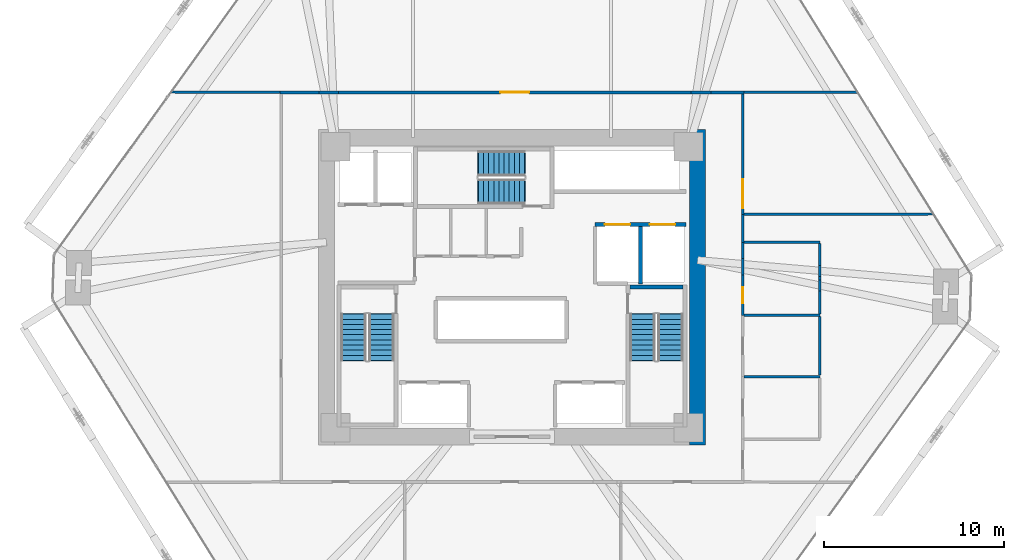
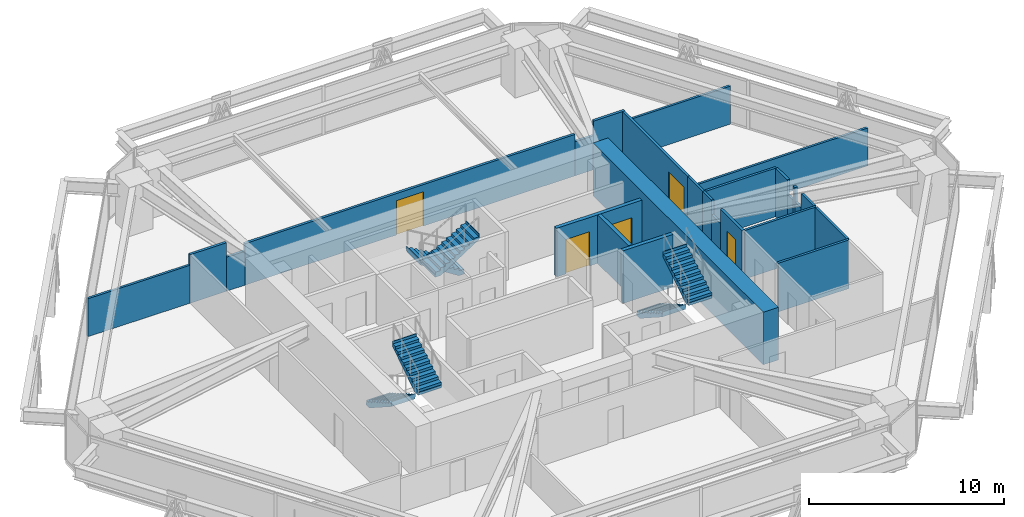
# One storey, part 15 of 16: 26 walls, 6 stair flights, 5 doors, 5 openings, 3 elements without a shape of their own.
"""IFC4 building model written with IfcOpenShell, lengths in metres."""

from ifc_helpers import new_model, si_unit, direction, frame, frame_2d, origin, place, context, subcontext, project, spatial, polyline, rectangle, outline, extrude, source, transform, mapped, material, layer, layer_set, type_object, type_shapes, element, fill, aggregate, save


model = new_model("IFC4")

# Units and contexts
model_context = context("Model", 3, precision=1e-05, world=origin(), true_north=direction((0.0, 1.0)))
body_context = subcontext(model_context, "Body", "Model", "MODEL_VIEW")
ifc_project = project(units=[si_unit("LENGTHUNIT", "METRE"), si_unit("AREAUNIT", "SQUARE_METRE"), si_unit("VOLUMEUNIT", "CUBIC_METRE"), si_unit("PLANEANGLEUNIT", "RADIAN"), si_unit("MASSUNIT", "GRAM", prefix="KILO")], contexts=[model_context])

# Site, building, storey
site_placement = place(None, origin())
site = spatial("IfcSite", under=ifc_project, at=site_placement, CompositionType="ELEMENT")
building_placement = place(site_placement, origin())
building = spatial("IfcBuilding", under=site, at=building_placement, Name="Durnholm Broadcast Tower", CompositionType="ELEMENT")
storey_placement = place(building_placement, frame((0.0, 0.0, 65.39990234375)))
storey = spatial("IfcBuildingStorey", under=building, at=storey_placement, Name="L16", CompositionType="ELEMENT", Elevation=65.39990234375)

# Walls
ifc_material_1 = material(Name="Concrete C70/85", Category="concrete")
ifc_layer_1 = layer(ifc_material_1, 0.89990234375)
ifc_layer_set_1 = layer_set([ifc_layer_1], Name="Concrete C70/85")
wall_type_1 = type_object("IfcWallType", Name="WALL-CW-900", PredefinedType="SHEAR", material=ifc_layer_set_1)
wall_1_placement = place(storey_placement, frame((10.300048828125, -8.75, 0.0), z_axis=(0.0, 0.0, 1.0), x_axis=(0.0, 1.0, 0.0)))
element("IfcWall", 1, at=wall_1_placement, inside=storey, type_object=wall_type_1, Name="L16 central core shear wall CW-EAST", PredefinedType="SHEAR", context=body_context, shape_type="SweptSolid", body=[
    extrude(rectangle(XDim=17.5, YDim=0.89990234375, at=frame_2d((8.75, 0.0))), origin(), (0.0, 0.0, 1.0), 3.300048828125),
])
ifc_material_2 = material(Name="Gypsum Metal Stud Partition", Category="concrete")
ifc_layer_2 = layer(ifc_material_2, 0.135009765625)
ifc_layer_set_2 = layer_set([ifc_layer_2], Name="Gypsum Metal Stud Partition")
wall_type_2 = type_object("IfcWallType", Name="WALL-PART-135", PredefinedType="PARTITIONING", material=ifc_layer_set_2)
wall_2_placement = place(storey_placement, frame((-12.889892578125, 10.810302734375, 0.0), z_axis=(0.0, 0.0, 1.0), x_axis=(-0.999992607823, 0.003845035728, 0.0)))
element("IfcWall", 2, at=wall_2_placement, inside=storey, type_object=wall_type_2, Name="L16 room dividing partition 7.11", PredefinedType="PARTITIONING", context=body_context, shape_type="SweptSolid", body=[
    extrude(rectangle(XDim=6.031982421875, YDim=0.135009765625, at=frame_2d((3.01611328125, 0.0))), origin(), (0.0, 0.0, 1.0), 2.380126953125),
])
wall_3_placement = place(storey_placement, frame((19.18212890625, 10.831298828125, 0.0), z_axis=(0.0, 0.0, 1.0), x_axis=(-0.999994432845, -0.003336806783, 0.0)))
element("IfcWall", 3, at=wall_3_placement, inside=storey, type_object=wall_type_2, Name="L16 room dividing partition 7.13", PredefinedType="PARTITIONING", context=body_context, shape_type="SweptSolid", body=[
    extrude(rectangle(XDim=6.292236328125, YDim=0.135009765625, at=frame_2d((3.14599609375, 0.0))), origin(), (0.0, 0.0, 1.0), 2.380126953125),
])
wall_4_placement = place(storey_placement, frame((12.888916015625, 4.040283203125, 0.0), z_axis=(0.0, 0.0, 1.0), x_axis=(0.999998004093, 0.001997951593, 0.0)))
element("IfcWall", 4, at=wall_4_placement, inside=storey, type_object=wall_type_2, Name="L16 room dividing partition 12.13", PredefinedType="PARTITIONING", context=body_context, shape_type="SweptSolid", body=[
    extrude(rectangle(XDim=10.5087890625, YDim=0.135009765625, at=frame_2d((5.25439453125, 0.0))), origin(), (0.0, 0.0, 1.0), 2.380126953125),
])
ifc_material_3 = material(Name="Acoustic Gypsum Stud Partition", Category="concrete")
ifc_layer_3 = layer(ifc_material_3, 0.14990234375)
ifc_layer_set_3 = layer_set([ifc_layer_3], Name="Acoustic Gypsum Stud Partition")
wall_type_3 = type_object("IfcWallType", Name="WALL-PART-150", PredefinedType="PARTITIONING", material=ifc_layer_set_3)
wall_5_placement = place(storey_placement, frame((12.889892578125, 10.81005859375, 0.0), z_axis=(0.0, 0.0, 1.0), x_axis=(-1.0, 0.0, 0.0)))
element("IfcWall", 5, at=wall_5_placement, inside=storey, type_object=wall_type_3, Name="L16 International News Auditorium corridor partition", PredefinedType="PARTITIONING", context=body_context, shape_type="SweptSolid", body=[
    extrude(rectangle(XDim=1.847412109375, YDim=0.14990234375, at=frame_2d((0.923828125, 0.0))), origin(), (0.0, 0.0, 1.0), 3.045166015625),
])

# Wall, opening, door
wall_6_placement = place(storey_placement, frame((9.93310546875, 10.81005859375, 0.0), z_axis=(0.0, 0.0, 1.0), x_axis=(-1.0, 0.0, 0.0)))
wall_6 = element("IfcWall", 6, at=wall_6_placement, inside=storey, type_object=wall_type_3, Name="L16 International News Auditorium corridor partition", PredefinedType="PARTITIONING", context=body_context, shape_type="SweptSolid", body=[
    extrude(rectangle(XDim=19.560546875, YDim=0.14990234375, at=frame_2d((9.7802734375, 0.0))), origin(), (0.0, 0.0, 1.0), 2.59765625),
])
opening_1_placement = place(wall_6_placement, frame((8.980224609375, 0.0, 0.0)))
opening_1 = element("IfcOpeningElement", 7, at=opening_1_placement, cuts=wall_6, Name="Opening DST-160", PredefinedType="OPENING", context=body_context, shape_type="SweptSolid", body=[
    extrude(rectangle(XDim=1.60009765625, YDim=2.14990234375, at=frame_2d((0.800048828125, 1.074951171875))), frame((0.0, 0.0849609375, 0.0), z_axis=(0.0, -1.0, 0.0), x_axis=(1.0, 0.0, 0.0)), (0.0, 0.0, 1.0), 0.169921875),
])
ifc_material_4 = material(Name="Acoustic Broadcast Studio Sound-Lock Door", Category="steel")
ifc_layer_4 = layer(ifc_material_4, 0.050048828125)
ifc_layer_set_4 = layer_set([ifc_layer_4], Name="Acoustic Broadcast Studio Sound-Lock Door")
door_type_1 = type_object("IfcDoorType", Name="DOOR-STU-1600", OperationType="DOUBLE_DOOR_SINGLE_SWING", PredefinedType="DOOR", material=ifc_layer_set_4)
shared_shape_1 = source(origin(), body_context, "Body", "SweptSolid", [
    extrude(rectangle(XDim=1.60009765625, YDim=2.14990234375, at=frame_2d((0.800048828125, 1.074951171875))), frame((0.0, 0.02490234375, 0.0), z_axis=(0.0, -1.0, 0.0), x_axis=(1.0, 0.0, 0.0)), (0.0, 0.0, 1.0), 0.050048828125),
])
type_shapes(door_type_1, [shared_shape_1])
door_1_placement = place(opening_1_placement, origin())
door_1 = element("IfcDoor", 8, at=door_1_placement, inside=storey, type_object=door_type_1, Name="L16 International News Auditorium entrance door", OperationType="DOUBLE_DOOR_SINGLE_SWING", OverallHeight=2.14990234375, OverallWidth=1.60009765625, PredefinedType="DOOR", context=body_context, shape_type="MappedRepresentation", body=[
    mapped(shared_shape_1, transform((0.0, 0.0, 0.0), x_axis=(1.0, 0.0, 0.0), y_axis=(0.0, 1.0, 0.0), z_axis=(0.0, 0.0, 1.0), scale=1.0)),
])
fill(opening_1, door_1)

# Walls
wall_7_placement = place(storey_placement, frame((-10.719970703125, 10.81005859375, 0.0), z_axis=(0.0, 0.0, 1.0), x_axis=(-1.0, 0.0, 0.0)))
element("IfcWall", 9, at=wall_7_placement, inside=storey, type_object=wall_type_3, Name="L16 International News Auditorium corridor partition", PredefinedType="PARTITIONING", context=body_context, shape_type="SweptSolid", body=[
    extrude(rectangle(XDim=2.169921875, YDim=0.14990234375, at=frame_2d((1.0849609375, 0.0))), origin(), (0.0, 0.0, 1.0), 3.045166015625),
])
wall_8_placement = place(storey_placement, frame((11.04248046875, 10.81005859375, 0.0), z_axis=(0.0, 0.0, 1.0), x_axis=(-1.0, 0.0, 0.0)))
element("IfcWall", 10, at=wall_8_placement, inside=storey, type_object=wall_type_3, Name="L16 International News Auditorium corridor partition", PredefinedType="PARTITIONING", context=body_context, shape_type="SweptSolid", body=[
    extrude(rectangle(XDim=1.109375, YDim=0.14990234375, at=frame_2d((0.5546875, 0.0))), origin(), (0.0, 0.0, 1.0), 2.130126953125),
])
wall_9_placement = place(storey_placement, frame((-9.62744140625, 10.81005859375, 0.0), z_axis=(0.0, 0.0, 1.0), x_axis=(-1.0, 0.0, 0.0)))
element("IfcWall", 11, at=wall_9_placement, inside=storey, type_object=wall_type_3, Name="L16 International News Auditorium corridor partition", PredefinedType="PARTITIONING", context=body_context, shape_type="SweptSolid", body=[
    extrude(rectangle(XDim=1.092529296875, YDim=0.14990234375, at=frame_2d((0.54638671875, 0.0))), origin(), (0.0, 0.0, 1.0), 2.130126953125),
])
wall_10_placement = place(storey_placement, frame((12.81005859375, 2.489990234375, 0.0), z_axis=(0.0, 0.0, 1.0), x_axis=(0.0, 1.0, 0.0)))
element("IfcWall", 12, at=wall_10_placement, inside=storey, type_object=wall_type_3, Name="L16 Open Plan Broadcast Workspace 1 corridor partition", PredefinedType="PARTITIONING", context=body_context, shape_type="SweptSolid", body=[
    extrude(rectangle(XDim=1.550048828125, YDim=0.14990234375, at=frame_2d((0.77490234375, 0.0))), origin(), (0.0, 0.0, 1.0), 3.045166015625),
])

# Wall, opening, door
wall_11_placement = place(storey_placement, frame((12.81005859375, 4.0400390625, 0.0), z_axis=(0.0, 0.0, 1.0), x_axis=(0.0, 1.0, 0.0)))
wall_11 = element("IfcWall", 13, at=wall_11_placement, inside=storey, type_object=wall_type_3, Name="L16 International News Auditorium corridor partition", PredefinedType="PARTITIONING", context=body_context, shape_type="SweptSolid", body=[
    extrude(rectangle(XDim=6.69091796875, YDim=0.14990234375, at=frame_2d((3.345458984375, 0.0))), origin(), (0.0, 0.0, 1.0), 3.045166015625),
])
opening_2_placement = place(wall_11_placement, frame((0.35009765625, 0.0, 0.0)))
opening_2 = element("IfcOpeningElement", 14, at=opening_2_placement, cuts=wall_11, Name="Opening DST-160", PredefinedType="OPENING", context=body_context, shape_type="SweptSolid", body=[
    extrude(rectangle(XDim=1.60009765625, YDim=2.14990234375, at=frame_2d((0.800048828125, 1.074951171875))), frame((0.0, 0.0849609375, 0.0), z_axis=(0.0, -1.0, 0.0), x_axis=(1.0, 0.0, 0.0)), (0.0, 0.0, 1.0), 0.169921875),
])
door_2_placement = place(opening_2_placement, origin())
door_2 = element("IfcDoor", 15, at=door_2_placement, inside=storey, type_object=door_type_1, Name="L16 International News Auditorium entrance door", OperationType="DOUBLE_DOOR_SINGLE_SWING", OverallHeight=2.14990234375, OverallWidth=1.60009765625, PredefinedType="DOOR", context=body_context, shape_type="MappedRepresentation", body=[
    mapped(shared_shape_1, transform((0.0, 0.0, 0.0), x_axis=(1.0, 0.0, 0.0), y_axis=(0.0, 1.0, 0.0), z_axis=(0.0, 0.0, 1.0), scale=1.0)),
])
fill(opening_2, door_2)

# Wall, openings, doors
ifc_material_5 = material(Name="Concrete Blockwork C30/37", Category="masonry")
ifc_layer_5 = layer(ifc_material_5, 0.219970703125)
ifc_layer_set_5 = layer_set([ifc_layer_5], Name="Concrete Blockwork C30/37")
wall_type_4 = type_object("IfcWallType", Name="WALL-SHAFT-220", PredefinedType="SOLIDWALL", material=ifc_layer_set_5)
wall_12_placement = place(storey_placement, frame((4.60009765625, 3.47998046875, 0.0), z_axis=(0.0, 0.0, 1.0), x_axis=(1.0, 0.0, 0.0)))
wall_12 = element("IfcWall", 16, at=wall_12_placement, inside=storey, type_object=wall_type_4, Name="L16 freight service lifts north front wall", PredefinedType="SOLIDWALL", context=body_context, shape_type="SweptSolid", body=[
    extrude(rectangle(XDim=5.0498046875, YDim=0.219970703125, at=frame_2d((2.52490234375, 0.0))), origin(), (0.0, 0.0, 1.0), 3.045166015625),
])
opening_3_placement = place(wall_12_placement, frame((0.550048828125, 0.0, 0.0)))
opening_3 = element("IfcOpeningElement", 17, at=opening_3_placement, cuts=wall_12, Name="Opening LD-SVL-2", PredefinedType="OPENING", context=body_context, shape_type="SweptSolid", body=[
    extrude(rectangle(XDim=1.39990234375, YDim=2.14990234375, at=frame_2d((0.699951171875, 1.074951171875))), frame((0.0, 0.1201171875, 0.0), z_axis=(0.0, -1.0, 0.0), x_axis=(1.0, 0.0, 0.0)), (0.0, 0.0, 1.0), 0.239990234375),
])
opening_4_placement = place(wall_12_placement, frame((3.050048828125, 0.0, 0.0)))
opening_4 = element("IfcOpeningElement", 18, at=opening_4_placement, cuts=wall_12, Name="Opening LD-SVL-1", PredefinedType="OPENING", context=body_context, shape_type="SweptSolid", body=[
    extrude(rectangle(XDim=1.39990234375, YDim=2.14990234375, at=frame_2d((0.699951171875, 1.074951171875))), frame((0.0, 0.1201171875, 0.0), z_axis=(0.0, -1.0, 0.0), x_axis=(1.0, 0.0, 0.0)), (0.0, 0.0, 1.0), 0.239990234375),
])
ifc_material_6 = material(Name="Freight Elevator Bi-Parting Sliding Landing Door", Category="steel")
ifc_layer_6 = layer(ifc_material_6, 0.050048828125)
ifc_layer_set_6 = layer_set([ifc_layer_6], Name="Freight Elevator Bi-Parting Sliding Landing Door")
door_type_2 = type_object("IfcDoorType", Name="DOOR-LIFT-SVL", OperationType="DOUBLE_DOOR_SLIDING", PredefinedType="DOOR", material=ifc_layer_set_6)
shared_shape_2 = source(origin(), body_context, "Body", "SweptSolid", [
    extrude(rectangle(XDim=1.39990234375, YDim=2.14990234375, at=frame_2d((0.699951171875, 1.074951171875))), frame((0.0, 0.02490234375, 0.0), z_axis=(0.0, -1.0, 0.0), x_axis=(1.0, 0.0, 0.0)), (0.0, 0.0, 1.0), 0.050048828125),
])
type_shapes(door_type_2, [shared_shape_2])
door_3_placement = place(opening_3_placement, origin())
door_3 = element("IfcDoor", 19, at=door_3_placement, inside=storey, type_object=door_type_2, Name="L16 freight service elevator SVL-2 sliding landing door", OperationType="DOUBLE_DOOR_SLIDING", OverallHeight=2.14990234375, OverallWidth=1.39990234375, PredefinedType="DOOR", context=body_context, shape_type="MappedRepresentation", body=[
    mapped(shared_shape_2, transform((0.0, 0.0, 0.0), x_axis=(1.0, 0.0, 0.0), y_axis=(0.0, 1.0, 0.0), z_axis=(0.0, 0.0, 1.0), scale=1.0)),
])
fill(opening_3, door_3)
door_4_placement = place(opening_4_placement, origin())
door_4 = element("IfcDoor", 20, at=door_4_placement, inside=storey, type_object=door_type_2, Name="L16 freight service elevator SVL-1 sliding landing door", OperationType="DOUBLE_DOOR_SLIDING", OverallHeight=2.14990234375, OverallWidth=1.39990234375, PredefinedType="DOOR", context=body_context, shape_type="MappedRepresentation", body=[
    mapped(shared_shape_2, transform((0.0, 0.0, 0.0), x_axis=(1.0, 0.0, 0.0), y_axis=(0.0, 1.0, 0.0), z_axis=(0.0, 0.0, 1.0), scale=1.0)),
])
fill(opening_4, door_4)

# Walls
wall_13_placement = place(storey_placement, frame((7.1201171875, 0.179931640625, 0.0), z_axis=(0.0, 0.0, 1.0), x_axis=(0.0, 1.0, 0.0)))
element("IfcWall", 21, at=wall_13_placement, inside=storey, type_object=wall_type_4, Name="L16 freight service lifts divider wall", PredefinedType="SOLIDWALL", context=body_context, shape_type="SweptSolid", body=[
    extrude(rectangle(XDim=3.18603515625, YDim=0.219970703125, at=frame_2d((1.593017578125, 0.0))), origin(), (0.0, 0.0, 1.0), 3.045166015625),
])
ifc_material_7 = material(Name="Concrete C50/60", Category="concrete")
ifc_layer_7 = layer(ifc_material_7, 0.219970703125)
ifc_layer_set_7 = layer_set([ifc_layer_7], Name="Concrete C50/60")
wall_type_5 = type_object("IfcWallType", Name="WALL-SW-220", PredefinedType="SHEAR", material=ifc_layer_set_7)
wall_14_placement = place(storey_placement, frame((9.5, 0.010009765625, -0.239990234375), z_axis=(0.0, 0.0, 1.0), x_axis=(-1.0, 0.0, 0.0)))
element("IfcWall", 22, at=wall_14_placement, inside=storey, type_object=wall_type_5, Name="L16 stair ST-2 structural shaft wall N", PredefinedType="SHEAR", context=body_context, shape_type="SweptSolid", body=[
    extrude(rectangle(XDim=2.9599609375, YDim=0.219970703125, at=frame_2d((1.47998046875, 0.0))), origin(), (0.0, 0.0, 1.0), 3.300048828125),
])

# Wall, opening, door
ifc_material_8 = material(Name="Moisture-Resistant Tile Partition", Category="concrete")
ifc_layer_8 = layer(ifc_material_8, 0.139892578125)
ifc_layer_set_8 = layer_set([ifc_layer_8], Name="Moisture-Resistant Tile Partition")
wall_type_6 = type_object("IfcWallType", Name="WALL-WC-140", PredefinedType="PARTITIONING", material=ifc_layer_set_8)
wall_15_placement = place(storey_placement, frame((12.81005859375, -1.56005859375, 0.0), z_axis=(0.0, 0.0, 1.0), x_axis=(0.0, 1.0, 0.0)))
wall_15 = element("IfcWall", 23, at=wall_15_placement, inside=storey, type_object=wall_type_6, Name="L16 Accessible Restroom corridor partition", PredefinedType="PARTITIONING", context=body_context, shape_type="SweptSolid", body=[
    extrude(rectangle(XDim=2.231201171875, YDim=0.139892578125, at=frame_2d((1.11572265625, 0.0))), origin(), (0.0, 0.0, 1.0), 3.045166015625),
])
opening_5_placement = place(wall_15_placement, frame((0.66552734375, 0.0, 0.0)))
opening_5 = element("IfcOpeningElement", 24, at=opening_5_placement, cuts=wall_15, Name="Opening DW-90R", PredefinedType="OPENING", context=body_context, shape_type="SweptSolid", body=[
    extrude(rectangle(XDim=0.89990234375, YDim=2.050048828125, at=frame_2d((0.449951171875, 1.02490234375))), frame((0.0, 0.080078125, 0.0), z_axis=(0.0, -1.0, 0.0), x_axis=(1.0, 0.0, 0.0)), (0.0, 0.0, 1.0), 0.159912109375),
])
ifc_material_9 = material(Name="Laminate Restroom Door", Category="steel")
ifc_layer_9 = layer(ifc_material_9, 0.050048828125)
ifc_layer_set_9 = layer_set([ifc_layer_9], Name="Laminate Restroom Door")
door_type_3 = type_object("IfcDoorType", Name="DOOR-WC-900R", OperationType="NOTDEFINED", PredefinedType="DOOR", material=ifc_layer_set_9)
shared_shape_3 = source(origin(), body_context, "Body", "SweptSolid", [
    extrude(rectangle(XDim=0.89990234375, YDim=2.050048828125, at=frame_2d((0.449951171875, 1.02490234375))), frame((0.0, 0.02490234375, 0.0), z_axis=(0.0, -1.0, 0.0), x_axis=(1.0, 0.0, 0.0)), (0.0, 0.0, 1.0), 0.050048828125),
])
type_shapes(door_type_3, [shared_shape_3])
door_5_placement = place(opening_5_placement, origin())
door_5 = element("IfcDoor", 25, at=door_5_placement, inside=storey, type_object=door_type_3, Name="L16 Accessible Restroom entrance door", OperationType="SINGLE_SWING_RIGHT", OverallHeight=2.050048828125, OverallWidth=0.89990234375, PredefinedType="DOOR", context=body_context, shape_type="MappedRepresentation", body=[
    mapped(shared_shape_3, transform((0.0, 0.0, 0.0), x_axis=(1.0, 0.0, 0.0), y_axis=(0.0, 1.0, 0.0), z_axis=(0.0, 0.0, 1.0), scale=1.0)),
])
fill(opening_5, door_5)

# Walls
wall_16_placement = place(storey_placement, frame((12.81005859375, 1.584716796875, 0.0), z_axis=(0.0, 0.0, 1.0), x_axis=(0.0, 1.0, 0.0)))
element("IfcWall", 26, at=wall_16_placement, inside=storey, type_object=wall_type_6, Name="L16 Accessible Restroom corridor partition", PredefinedType="PARTITIONING", context=body_context, shape_type="SweptSolid", body=[
    extrude(rectangle(XDim=0.9052734375, YDim=0.139892578125, at=frame_2d((0.45263671875, 0.0))), origin(), (0.0, 0.0, 1.0), 3.045166015625),
])
wall_17_placement = place(storey_placement, frame((12.81005859375, 0.671142578125, 0.0), z_axis=(0.0, 0.0, 1.0), x_axis=(0.0, 1.0, 0.0)))
element("IfcWall", 27, at=wall_17_placement, inside=storey, type_object=wall_type_6, Name="L16 Accessible Restroom corridor partition", PredefinedType="PARTITIONING", context=body_context, shape_type="SweptSolid", body=[
    extrude(rectangle(XDim=0.91357421875, YDim=0.139892578125, at=frame_2d((0.456787109375, 0.0))), origin(), (0.0, 0.0, 1.0), 2.130126953125),
])
for number, where, z_axis, x_axis, name in (
    (28, (12.884033203125, -4.9599609375, 0.0), (0.0, 0.0, 1.0), (1.0, 0.0, 0.0), "L16 room dividing partition 4.5"),
    (29, (12.884033203125, -1.56005859375, 0.0), (0.0, 0.0, 1.0), (1.0, 0.0, 0.0), "L16 room dividing partition 5.6"),
):
    element("IfcWall", number, at=place(storey_placement, frame(where, z_axis=z_axis, x_axis=x_axis)), inside=storey, type_object=wall_type_6, Name=name, PredefinedType="PARTITIONING", context=body_context, shape_type="SweptSolid", body=[
        extrude(rectangle(XDim=4.2060546875, YDim=0.139892578125, at=frame_2d((2.10302734375, 0.0))), origin(), (0.0, 0.0, 1.0), 3.045166015625),
    ])
wall_18_placement = place(storey_placement, frame((17.090087890625, -1.634033203125, 0.0), z_axis=(0.0, 0.0, 1.0), x_axis=(0.0, -1.0, 0.0)))
element("IfcWall", 30, at=wall_18_placement, inside=storey, type_object=wall_type_6, Name="L16 room dividing partition 5.12", PredefinedType="PARTITIONING", context=body_context, shape_type="SweptSolid", body=[
    extrude(rectangle(XDim=3.251953125, YDim=0.139892578125, at=frame_2d((1.6259765625, 0.0))), origin(), (0.0, 0.0, 1.0), 3.045166015625),
])
wall_19_placement = place(storey_placement, frame((12.888916015625, 2.489990234375, 0.0), z_axis=(0.0, 0.0, 1.0), x_axis=(1.0, 0.0, 0.0)))
element("IfcWall", 31, at=wall_19_placement, inside=storey, type_object=wall_type_6, Name="L16 room dividing partition 6.12", PredefinedType="PARTITIONING", context=body_context, shape_type="SweptSolid", body=[
    extrude(rectangle(XDim=4.201171875, YDim=0.139892578125, at=frame_2d((2.1005859375, 0.0))), origin(), (0.0, 0.0, 1.0), 3.045166015625),
])
wall_20_placement = place(storey_placement, frame((17.090087890625, 2.416015625, 0.0), z_axis=(0.0, 0.0, 1.0), x_axis=(0.0, -1.0, 0.0)))
element("IfcWall", 32, at=wall_20_placement, inside=storey, type_object=wall_type_6, Name="L16 room dividing partition 6.12", PredefinedType="PARTITIONING", context=body_context, shape_type="SweptSolid", body=[
    extrude(rectangle(XDim=1.203857421875, YDim=0.139892578125, at=frame_2d((0.60205078125, 0.0))), origin(), (0.0, 0.0, 1.0), 3.045166015625),
])
wall_21_placement = place(storey_placement, frame((17.090087890625, 0.60595703125, 0.0), z_axis=(0.0, 0.0, 1.0), x_axis=(0.0, -1.0, 0.0)))
element("IfcWall", 33, at=wall_21_placement, inside=storey, type_object=wall_type_6, Name="L16 room dividing partition 6.12", PredefinedType="PARTITIONING", context=body_context, shape_type="SweptSolid", body=[
    extrude(rectangle(XDim=0.205078125, YDim=0.139892578125, at=frame_2d((0.1025390625, 0.0))), origin(), (0.0, 0.0, 1.0), 3.045166015625),
])
wall_22_placement = place(storey_placement, frame((17.090087890625, -0.216064453125, 0.0), z_axis=(0.0, 0.0, 1.0), x_axis=(0.0, -1.0, 0.0)))
element("IfcWall", 34, at=wall_22_placement, inside=storey, type_object=wall_type_6, Name="L16 room dividing partition 6.12", PredefinedType="PARTITIONING", context=body_context, shape_type="SweptSolid", body=[
    extrude(rectangle(XDim=1.27001953125, YDim=0.139892578125, at=frame_2d((0.635009765625, 0.0))), origin(), (0.0, 0.0, 1.0), 3.045166015625),
])
wall_23_placement = place(storey_placement, frame((17.090087890625, 1.212158203125, 0.0), z_axis=(0.0, 0.0, 1.0), x_axis=(0.0, -1.0, 0.0)))
element("IfcWall", 35, at=wall_23_placement, inside=storey, type_object=wall_type_6, Name="L16 room dividing partition 6.12", PredefinedType="PARTITIONING", context=body_context, shape_type="SweptSolid", body=[
    extrude(rectangle(XDim=0.606201171875, YDim=0.139892578125, at=frame_2d((0.30322265625, 0.0))), origin(), (0.0, 0.0, 1.0), 2.130126953125),
])
wall_24_placement = place(storey_placement, frame((17.090087890625, 0.40087890625, 0.0), z_axis=(0.0, 0.0, 1.0), x_axis=(0.0, -1.0, 0.0)))
element("IfcWall", 36, at=wall_24_placement, inside=storey, type_object=wall_type_6, Name="L16 room dividing partition 6.12", PredefinedType="PARTITIONING", context=body_context, shape_type="SweptSolid", body=[
    extrude(rectangle(XDim=0.616943359375, YDim=0.139892578125, at=frame_2d((0.30859375, 0.0))), origin(), (0.0, 0.0, 1.0), 2.130126953125),
])

# Stair, stair flights
stair_type = type_object("IfcStairType", Name="STAIR-DL-20R1650", PredefinedType="HALF_TURN_STAIR", material=ifc_material_7)
stair_1_placement = place(storey_placement, origin())
stair_1 = element("IfcStair", 37, at=stair_1_placement, inside=storey, type_object=stair_type, Name="L16 ST-1", PredefinedType="HALF_TURN_STAIR")
stair_flight_type = type_object("IfcStairFlightType", Name="FLIGHT-DL-20R1650", PredefinedType="STRAIGHT", material=ifc_material_7)
stair_flight_1_placement = place(storey_placement, frame((-8.800048828125, -1.5, 0.0), z_axis=(0.0, 0.0, 1.0), x_axis=(0.0, -1.0, 0.0)))
stair_flight_1 = element("IfcStairFlight", 38, at=stair_flight_1_placement, type_object=stair_flight_type, Name="ST-1 flight 1", NumberOfRisers=10, NumberOfTreads=9, PredefinedType="STRAIGHT", RiserHeight=0.165, TreadLength=0.285, context=body_context, shape_type="SweptSolid", body=[
    extrude(outline(polyline([(-0.0400390625, -0.14990234375), (-0.0400390625, 0.0), (0.0, 0.0), (0.0, 0.1650390625), (0.284912109375, 0.1650390625), (0.284912109375, 0.330078125), (0.570068359375, 0.330078125), (0.570068359375, 0.4951171875), (0.85498046875, 0.4951171875), (0.85498046875, 0.659912109375), (1.139892578125, 0.659912109375), (1.139892578125, 0.824951171875), (1.425048828125, 0.824951171875), (1.425048828125, 0.989990234375), (1.7099609375, 0.989990234375), (1.7099609375, 1.155029296875), (1.9951171875, 1.155029296875), (1.9951171875, 1.320068359375), (2.280029296875, 1.320068359375), (2.280029296875, 1.485107421875), (2.56494140625, 1.485107421875), (2.56494140625, 1.64990234375), (2.60498046875, 1.64990234375), (2.60498046875, 1.5), (2.56494140625, 1.311767578125), (0.299072265625, -0.14990234375), (-0.0400390625, -0.14990234375)])), frame((0.0, 0.699951171875, 0.0), z_axis=(0.0, -1.0, 0.0), x_axis=(1.0, 0.0, 0.0)), (0.0, 0.0, 1.0), 1.39990234375),
])
stair_flight_2_placement = place(storey_placement, frame((-7.239990234375, -4.06494140625, 1.650146484375), z_axis=(0.0, 0.0, 1.0), x_axis=(0.0, 1.0, 0.0)))
stair_flight_2 = element("IfcStairFlight", 39, at=stair_flight_2_placement, type_object=stair_flight_type, Name="ST-1 flight 2", NumberOfRisers=10, NumberOfTreads=9, PredefinedType="STRAIGHT", RiserHeight=0.165, TreadLength=0.285, context=body_context, shape_type="SweptSolid", body=[
    extrude(outline(polyline([(-0.0400390625, -0.14990234375), (-0.0400390625, 0.0), (0.0, 0.0), (0.0, 0.1650390625), (0.284912109375, 0.1650390625), (0.284912109375, 0.330078125), (0.570068359375, 0.330078125), (0.570068359375, 0.4951171875), (0.85498046875, 0.4951171875), (0.85498046875, 0.659912109375), (1.139892578125, 0.659912109375), (1.139892578125, 0.824951171875), (1.425048828125, 0.824951171875), (1.425048828125, 0.989990234375), (1.7099609375, 0.989990234375), (1.7099609375, 1.155029296875), (1.9951171875, 1.155029296875), (1.9951171875, 1.320068359375), (2.280029296875, 1.320068359375), (2.280029296875, 1.485107421875), (2.56494140625, 1.485107421875), (2.56494140625, 1.64990234375), (2.60498046875, 1.64990234375), (2.60498046875, 1.5), (2.56494140625, 1.311767578125), (0.299072265625, -0.14990234375), (-0.0400390625, -0.14990234375)])), frame((0.0, 0.699951171875, 0.0), z_axis=(0.0, -1.0, 0.0), x_axis=(1.0, 0.0, 0.0)), (0.0, 0.0, 1.0), 1.39990234375),
])
aggregate(stair_1, [stair_flight_1, stair_flight_2])

stair_2_placement = place(storey_placement, origin())
stair_2 = element("IfcStair", 40, at=stair_2_placement, inside=storey, type_object=stair_type, Name="L16 ST-2", PredefinedType="HALF_TURN_STAIR")
stair_flight_3_placement = place(storey_placement, frame((7.239990234375, -1.5, 0.0), z_axis=(0.0, 0.0, 1.0), x_axis=(0.0, -1.0, 0.0)))
stair_flight_3 = element("IfcStairFlight", 41, at=stair_flight_3_placement, type_object=stair_flight_type, Name="ST-2 flight 1", NumberOfRisers=10, NumberOfTreads=9, PredefinedType="STRAIGHT", RiserHeight=0.165, TreadLength=0.285, context=body_context, shape_type="SweptSolid", body=[
    extrude(outline(polyline([(-0.0400390625, -0.14990234375), (-0.0400390625, 0.0), (0.0, 0.0), (0.0, 0.1650390625), (0.284912109375, 0.1650390625), (0.284912109375, 0.330078125), (0.570068359375, 0.330078125), (0.570068359375, 0.4951171875), (0.85498046875, 0.4951171875), (0.85498046875, 0.659912109375), (1.139892578125, 0.659912109375), (1.139892578125, 0.824951171875), (1.425048828125, 0.824951171875), (1.425048828125, 0.989990234375), (1.7099609375, 0.989990234375), (1.7099609375, 1.155029296875), (1.9951171875, 1.155029296875), (1.9951171875, 1.320068359375), (2.280029296875, 1.320068359375), (2.280029296875, 1.485107421875), (2.56494140625, 1.485107421875), (2.56494140625, 1.64990234375), (2.60498046875, 1.64990234375), (2.60498046875, 1.5), (2.56494140625, 1.311767578125), (0.299072265625, -0.14990234375), (-0.0400390625, -0.14990234375)])), frame((0.0, 0.699951171875, 0.0), z_axis=(0.0, -1.0, 0.0), x_axis=(1.0, 0.0, 0.0)), (0.0, 0.0, 1.0), 1.39990234375),
])
stair_flight_4_placement = place(storey_placement, frame((8.800048828125, -4.06494140625, 1.650146484375), z_axis=(0.0, 0.0, 1.0), x_axis=(0.0, 1.0, 0.0)))
stair_flight_4 = element("IfcStairFlight", 42, at=stair_flight_4_placement, type_object=stair_flight_type, Name="ST-2 flight 2", NumberOfRisers=10, NumberOfTreads=9, PredefinedType="STRAIGHT", RiserHeight=0.165, TreadLength=0.285, context=body_context, shape_type="SweptSolid", body=[
    extrude(outline(polyline([(-0.0400390625, -0.14990234375), (-0.0400390625, 0.0), (0.0, 0.0), (0.0, 0.1650390625), (0.284912109375, 0.1650390625), (0.284912109375, 0.330078125), (0.570068359375, 0.330078125), (0.570068359375, 0.4951171875), (0.85498046875, 0.4951171875), (0.85498046875, 0.659912109375), (1.139892578125, 0.659912109375), (1.139892578125, 0.824951171875), (1.425048828125, 0.824951171875), (1.425048828125, 0.989990234375), (1.7099609375, 0.989990234375), (1.7099609375, 1.155029296875), (1.9951171875, 1.155029296875), (1.9951171875, 1.320068359375), (2.280029296875, 1.320068359375), (2.280029296875, 1.485107421875), (2.56494140625, 1.485107421875), (2.56494140625, 1.64990234375), (2.60498046875, 1.64990234375), (2.60498046875, 1.5), (2.56494140625, 1.311767578125), (0.299072265625, -0.14990234375), (-0.0400390625, -0.14990234375)])), frame((0.0, 0.699951171875, 0.0), z_axis=(0.0, -1.0, 0.0), x_axis=(1.0, 0.0, 0.0)), (0.0, 0.0, 1.0), 1.39990234375),
])
aggregate(stair_2, [stair_flight_3, stair_flight_4])

stair_3_placement = place(storey_placement, origin())
stair_3 = element("IfcStair", 43, at=stair_3_placement, inside=storey, type_object=stair_type, Name="L16 ST-3", PredefinedType="HALF_TURN_STAIR")
stair_flight_5_placement = place(storey_placement, frame((0.699951171875, 6.860107421875, 0.0), z_axis=(0.0, 0.0, 1.0), x_axis=(-1.0, 0.0, 0.0)))
stair_flight_5 = element("IfcStairFlight", 44, at=stair_flight_5_placement, type_object=stair_flight_type, Name="ST-3 flight 1", NumberOfRisers=10, NumberOfTreads=9, PredefinedType="STRAIGHT", RiserHeight=0.165, TreadLength=0.285, context=body_context, shape_type="SweptSolid", body=[
    extrude(outline(polyline([(-0.0400390625, -0.14990234375), (-0.0400390625, 0.0), (0.0, 0.0), (0.0, 0.1650390625), (0.284912109375, 0.1650390625), (0.284912109375, 0.330078125), (0.570068359375, 0.330078125), (0.570068359375, 0.4951171875), (0.85498046875, 0.4951171875), (0.85498046875, 0.659912109375), (1.139892578125, 0.659912109375), (1.139892578125, 0.824951171875), (1.425048828125, 0.824951171875), (1.425048828125, 0.989990234375), (1.7099609375, 0.989990234375), (1.7099609375, 1.155029296875), (1.9951171875, 1.155029296875), (1.9951171875, 1.320068359375), (2.280029296875, 1.320068359375), (2.280029296875, 1.485107421875), (2.56494140625, 1.485107421875), (2.56494140625, 1.64990234375), (2.60498046875, 1.64990234375), (2.60498046875, 1.5), (2.56494140625, 1.311767578125), (0.299072265625, -0.14990234375), (-0.0400390625, -0.14990234375)])), frame((0.0, 0.699951171875, 0.0), z_axis=(0.0, -1.0, 0.0), x_axis=(1.0, 0.0, 0.0)), (0.0, 0.0, 1.0), 1.39990234375),
])
stair_flight_6_placement = place(storey_placement, frame((-1.864990234375, 5.300048828125, 1.650146484375), z_axis=(0.0, 0.0, 1.0), x_axis=(1.0, 0.0, 0.0)))
stair_flight_6 = element("IfcStairFlight", 45, at=stair_flight_6_placement, type_object=stair_flight_type, Name="ST-3 flight 2", NumberOfRisers=10, NumberOfTreads=9, PredefinedType="STRAIGHT", RiserHeight=0.165, TreadLength=0.285, context=body_context, shape_type="SweptSolid", body=[
    extrude(outline(polyline([(-0.0400390625, -0.14990234375), (-0.0400390625, 0.0), (0.0, 0.0), (0.0, 0.1650390625), (0.284912109375, 0.1650390625), (0.284912109375, 0.330078125), (0.570068359375, 0.330078125), (0.570068359375, 0.4951171875), (0.85498046875, 0.4951171875), (0.85498046875, 0.659912109375), (1.139892578125, 0.659912109375), (1.139892578125, 0.824951171875), (1.425048828125, 0.824951171875), (1.425048828125, 0.989990234375), (1.7099609375, 0.989990234375), (1.7099609375, 1.155029296875), (1.9951171875, 1.155029296875), (1.9951171875, 1.320068359375), (2.280029296875, 1.320068359375), (2.280029296875, 1.485107421875), (2.56494140625, 1.485107421875), (2.56494140625, 1.64990234375), (2.60498046875, 1.64990234375), (2.60498046875, 1.5), (2.56494140625, 1.311767578125), (0.299072265625, -0.14990234375), (-0.0400390625, -0.14990234375)])), frame((0.0, 0.699951171875, 0.0), z_axis=(0.0, -1.0, 0.0), x_axis=(1.0, 0.0, 0.0)), (0.0, 0.0, 1.0), 1.39990234375),
])
aggregate(stair_3, [stair_flight_5, stair_flight_6])

save(model, "model.ifc")
